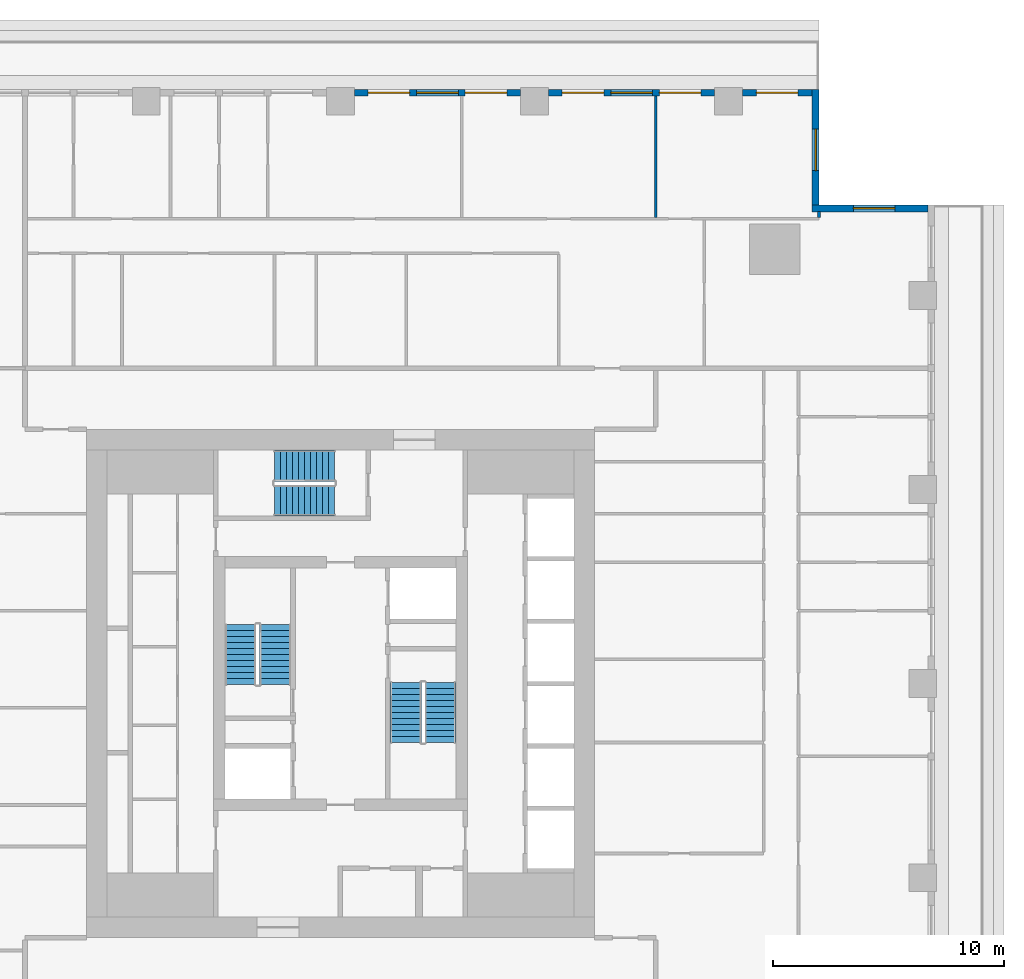
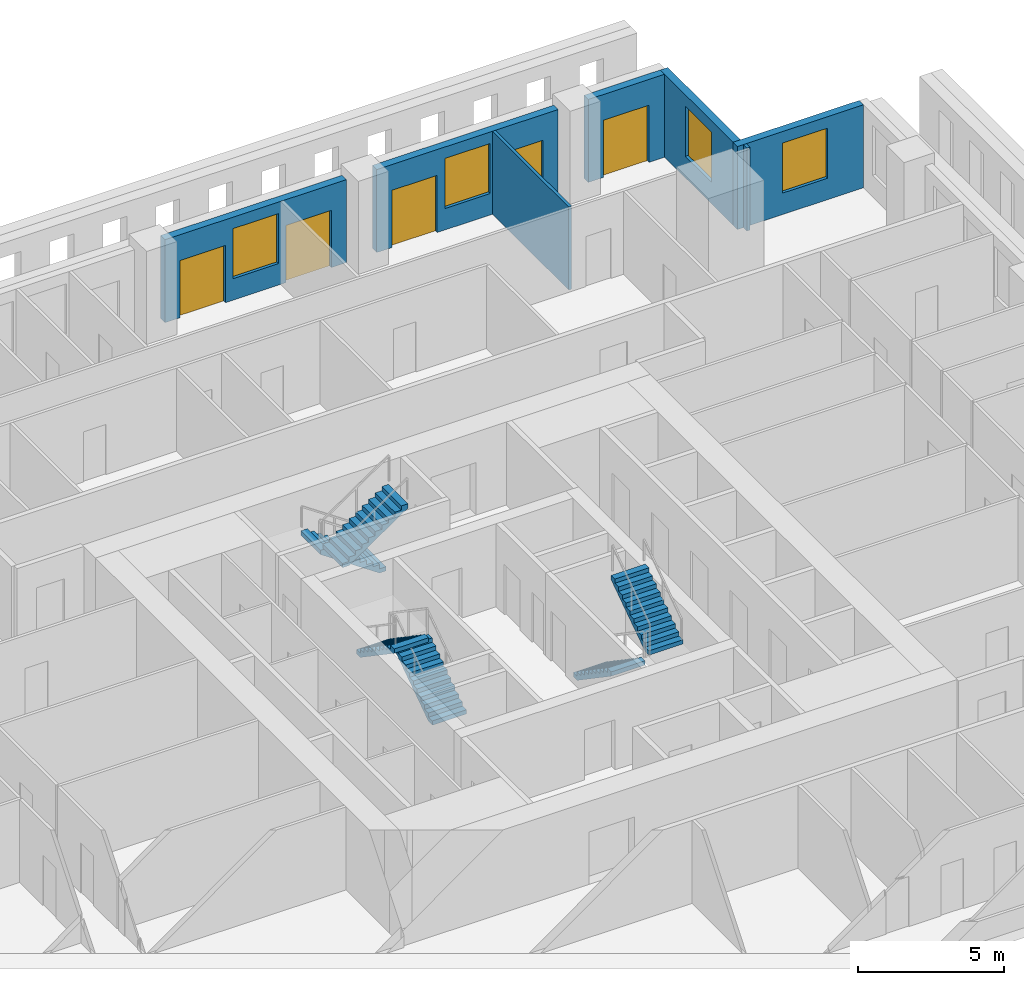
# One storey, part 9 of 14: 7 walls, 6 stair flights, 5 doors, 4 windows, 9 openings, 3 elements without a shape of their own.
"""IFC4 building model written with IfcOpenShell, lengths in metres."""

from ifc_helpers import new_model, si_unit, direction, frame, frame_2d, origin, place, context, subcontext, project, spatial, polyline, rectangle, outline, extrude, material, layer, layer_set, type_object, element, fill, aggregate, save


model = new_model("IFC4")

# Units and contexts
model_context = context("Model", 3, precision=1e-05, world=origin(), true_north=direction((0.0, 1.0)))
body_context = subcontext(model_context, "Body", "Model", "MODEL_VIEW")
ifc_project = project(units=[si_unit("LENGTHUNIT", "METRE"), si_unit("AREAUNIT", "SQUARE_METRE"), si_unit("VOLUMEUNIT", "CUBIC_METRE"), si_unit("PLANEANGLEUNIT", "RADIAN"), si_unit("MASSUNIT", "GRAM", prefix="KILO")], contexts=[model_context])

# Site, building, storey
site_placement = place(None, origin())
site = spatial("IfcSite", under=ifc_project, at=site_placement, CompositionType="ELEMENT")
building_placement = place(site_placement, origin())
building = spatial("IfcBuilding", under=site, at=building_placement, Name="Khepri Terraces", CompositionType="ELEMENT")
storey_placement = place(building_placement, frame((0.0, 0.0, 267.89990234375)))
storey = spatial("IfcBuildingStorey", under=building, at=storey_placement, Name="L64", CompositionType="ELEMENT", Elevation=267.89990234375)

# Wall, opening, window
ifc_material_1 = material(Name="Precast concrete C50/60 warm stone", Category="masonry")
ifc_layer_1 = layer(ifc_material_1, 0.300048828125, Name="Precast concrete C50/60 warm stone", Category="masonry")
ifc_layer_set_1 = layer_set([ifc_layer_1], Name="Precast concrete C50/60 warm stone")
wall_type_1 = type_object("IfcWallType", Name="WL-EXT-PRECAST-300", PredefinedType="STANDARD", material=ifc_layer_set_1)
wall_1_placement = place(storey_placement, frame((25.419921875, 20.570068359375, 0.0), z_axis=(0.0, 0.0, 1.0), x_axis=(-1.0, 0.0, 0.0)))
wall_1 = element("IfcWall", 1, at=wall_1_placement, inside=storey, type_object=wall_type_1, Name="External wall L64 N", PredefinedType="STANDARD", context=body_context, shape_type="SweptSolid", body=[
    extrude(rectangle(XDim=5.0, YDim=0.300048828125, at=frame_2d((2.5, 0.0))), origin(), (0.0, 0.0, 1.0), 3.47998046875),
])
opening_1_placement = place(wall_1_placement, frame((1.419921875, 0.0, 0.89990234375)))
opening_1 = element("IfcOpeningElement", 2, at=opening_1_placement, cuts=wall_1, Name="Opening W1", PredefinedType="OPENING", context=body_context, shape_type="SweptSolid", body=[
    extrude(rectangle(XDim=1.800048828125, YDim=2.10009765625, at=frame_2d((0.89990234375, 1.050048828125))), frame((0.0, 0.16015625, 0.0), z_axis=(0.0, -1.0, 0.0), x_axis=(1.0, 0.0, 0.0)), (0.0, 0.0, 1.0), 0.320068359375),
])
ifc_material_2 = material(Name="Clear glass", Category="glass")
window_type = type_object("IfcWindowType", Name="WIN-RES-1800x2100", PartitioningType="SINGLE_PANEL", PredefinedType="WINDOW", material=ifc_material_2)
window_1_placement = place(opening_1_placement, origin())
window_1 = element("IfcWindow", 3, at=window_1_placement, inside=storey, type_object=window_type, Name="Window L64 N", OverallHeight=2.10009765625, OverallWidth=1.800048828125, PartitioningType="SINGLE_PANEL", PredefinedType="WINDOW", context=body_context, shape_type="SweptSolid", body=[
    extrude(rectangle(XDim=1.800048828125, YDim=2.10009765625, at=frame_2d((0.89990234375, 1.050048828125))), frame((0.0, 0.030029296875, 0.0), z_axis=(0.0, -1.0, 0.0), x_axis=(1.0, 0.0, 0.0)), (0.0, 0.0, 1.0), 0.06005859375),
])
fill(opening_1, window_1)

wall_2_placement = place(storey_placement, frame((20.570068359375, 20.719970703125, 0.0), z_axis=(0.0, 0.0, 1.0), x_axis=(0.0, 1.0, 0.0)))
wall_2 = element("IfcWall", 4, at=wall_2_placement, inside=storey, type_object=wall_type_1, Name="External wall L64 E", PredefinedType="STANDARD", context=body_context, shape_type="SweptSolid", body=[
    extrude(rectangle(XDim=5.0, YDim=0.300048828125, at=frame_2d((2.5, 0.0))), origin(), (0.0, 0.0, 1.0), 3.47998046875),
])
opening_2_placement = place(wall_2_placement, frame((1.47998046875, 0.0, 0.89990234375)))
opening_2 = element("IfcOpeningElement", 5, at=opening_2_placement, cuts=wall_2, Name="Opening W1", PredefinedType="OPENING", context=body_context, shape_type="SweptSolid", body=[
    extrude(rectangle(XDim=1.800048828125, YDim=2.10009765625, at=frame_2d((0.89990234375, 1.050048828125))), frame((0.0, 0.16015625, 0.0), z_axis=(0.0, -1.0, 0.0), x_axis=(1.0, 0.0, 0.0)), (0.0, 0.0, 1.0), 0.320068359375),
])
window_2_placement = place(opening_2_placement, origin())
window_2 = element("IfcWindow", 6, at=window_2_placement, inside=storey, type_object=window_type, Name="Window L64 E", OverallHeight=2.10009765625, OverallWidth=1.800048828125, PartitioningType="SINGLE_PANEL", PredefinedType="WINDOW", context=body_context, shape_type="SweptSolid", body=[
    extrude(rectangle(XDim=1.800048828125, YDim=2.10009765625, at=frame_2d((0.89990234375, 1.050048828125))), frame((0.0, 0.030029296875, 0.0), z_axis=(0.0, -1.0, 0.0), x_axis=(1.0, 0.0, 0.0)), (0.0, 0.0, 1.0), 0.06005859375),
])
fill(opening_2, window_2)

# Wall, opening, door
wall_3_placement = place(storey_placement, frame((20.419921875, 25.570068359375, 0.0), z_axis=(0.0, 0.0, 1.0), x_axis=(-1.0, 0.0, 0.0)))
wall_3 = element("IfcWall", 7, at=wall_3_placement, inside=storey, type_object=wall_type_1, Name="External wall L64 N", PredefinedType="STANDARD", context=body_context, shape_type="SweptSolid", body=[
    extrude(rectangle(XDim=3.02001953125, YDim=0.300048828125, at=frame_2d((1.510009765625, 0.0))), origin(), (0.0, 0.0, 1.0), 3.47998046875),
])
opening_3_placement = place(wall_3_placement, frame((0.6201171875, 0.0, 0.0)))
opening_3 = element("IfcOpeningElement", 8, at=opening_3_placement, cuts=wall_3, Name="Opening ED-L64-05", PredefinedType="OPENING", context=body_context, shape_type="SweptSolid", body=[
    extrude(rectangle(XDim=1.800048828125, YDim=2.39990234375, at=frame_2d((0.89990234375, 1.199951171875))), frame((0.0, 0.16015625, 0.0), z_axis=(0.0, -1.0, 0.0), x_axis=(1.0, 0.0, 0.0)), (0.0, 0.0, 1.0), 0.320068359375),
])
ifc_material_3 = material(Name="Anodised aluminium bronze glazed door", Category="aluminium")
door_type = type_object("IfcDoorType", Name="DR-BAL-SLIDE-1800x2400", OperationType="NOTDEFINED", PredefinedType="DOOR", material=ifc_material_3)
door_1_placement = place(opening_3_placement, origin())
door_1 = element("IfcDoor", 9, at=door_1_placement, inside=storey, type_object=door_type, Name="Balcony door L64 N", OperationType="SLIDING_TO_RIGHT", OverallHeight=2.39990234375, OverallWidth=1.800048828125, PredefinedType="DOOR", context=body_context, shape_type="SweptSolid", body=[
    extrude(rectangle(XDim=1.800048828125, YDim=2.39990234375, at=frame_2d((0.89990234375, 1.199951171875))), frame((0.0, 0.02490234375, 0.0), z_axis=(0.0, -1.0, 0.0), x_axis=(1.0, 0.0, 0.0)), (0.0, 0.0, 1.0), 0.050048828125),
])
fill(opening_3, door_1)

# Wall, openings, doors, window
wall_4_placement = place(storey_placement, frame((16.199951171875, 25.570068359375, 0.0), z_axis=(0.0, 0.0, 1.0), x_axis=(-1.0, 0.0, 0.0)))
wall_4 = element("IfcWall", 10, at=wall_4_placement, inside=storey, type_object=wall_type_1, Name="External wall L64 N", PredefinedType="STANDARD", context=body_context, shape_type="SweptSolid", body=[
    extrude(rectangle(XDim=7.199951171875, YDim=0.300048828125, at=frame_2d((3.60009765625, 0.0))), origin(), (0.0, 0.0, 1.0), 3.47998046875),
])
opening_4_placement = place(wall_4_placement, frame((0.60009765625, 0.0, 0.0)))
opening_4 = element("IfcOpeningElement", 11, at=opening_4_placement, cuts=wall_4, Name="Opening ED-L64-06", PredefinedType="OPENING", context=body_context, shape_type="SweptSolid", body=[
    extrude(rectangle(XDim=1.800048828125, YDim=2.39990234375, at=frame_2d((0.89990234375, 1.199951171875))), frame((0.0, 0.16015625, 0.0), z_axis=(0.0, -1.0, 0.0), x_axis=(1.0, 0.0, 0.0)), (0.0, 0.0, 1.0), 0.320068359375),
])
opening_5_placement = place(wall_4_placement, frame((2.699951171875, 0.0, 0.89990234375)))
opening_5 = element("IfcOpeningElement", 12, at=opening_5_placement, cuts=wall_4, Name="Opening W1", PredefinedType="OPENING", context=body_context, shape_type="SweptSolid", body=[
    extrude(rectangle(XDim=1.800048828125, YDim=2.10009765625, at=frame_2d((0.89990234375, 1.050048828125))), frame((0.0, 0.16015625, 0.0), z_axis=(0.0, -1.0, 0.0), x_axis=(1.0, 0.0, 0.0)), (0.0, 0.0, 1.0), 0.320068359375),
])
opening_6_placement = place(wall_4_placement, frame((4.800048828125, 0.0, 0.0)))
opening_6 = element("IfcOpeningElement", 13, at=opening_6_placement, cuts=wall_4, Name="Opening ED-L64-07", PredefinedType="OPENING", context=body_context, shape_type="SweptSolid", body=[
    extrude(rectangle(XDim=1.800048828125, YDim=2.39990234375, at=frame_2d((0.89990234375, 1.199951171875))), frame((0.0, 0.16015625, 0.0), z_axis=(0.0, -1.0, 0.0), x_axis=(1.0, 0.0, 0.0)), (0.0, 0.0, 1.0), 0.320068359375),
])
door_2_placement = place(opening_4_placement, origin())
door_2 = element("IfcDoor", 14, at=door_2_placement, inside=storey, type_object=door_type, Name="Balcony door L64 N", OperationType="SLIDING_TO_LEFT", OverallHeight=2.39990234375, OverallWidth=1.800048828125, PredefinedType="DOOR", context=body_context, shape_type="SweptSolid", body=[
    extrude(rectangle(XDim=1.800048828125, YDim=2.39990234375, at=frame_2d((0.89990234375, 1.199951171875))), frame((0.0, 0.02490234375, 0.0), z_axis=(0.0, -1.0, 0.0), x_axis=(1.0, 0.0, 0.0)), (0.0, 0.0, 1.0), 0.050048828125),
])
fill(opening_4, door_2)
door_3_placement = place(opening_6_placement, origin())
door_3 = element("IfcDoor", 15, at=door_3_placement, inside=storey, type_object=door_type, Name="Balcony door L64 N", OperationType="SLIDING_TO_RIGHT", OverallHeight=2.39990234375, OverallWidth=1.800048828125, PredefinedType="DOOR", context=body_context, shape_type="SweptSolid", body=[
    extrude(rectangle(XDim=1.800048828125, YDim=2.39990234375, at=frame_2d((0.89990234375, 1.199951171875))), frame((0.0, 0.02490234375, 0.0), z_axis=(0.0, -1.0, 0.0), x_axis=(1.0, 0.0, 0.0)), (0.0, 0.0, 1.0), 0.050048828125),
])
fill(opening_6, door_3)
window_3_placement = place(opening_5_placement, origin())
window_3 = element("IfcWindow", 16, at=window_3_placement, inside=storey, type_object=window_type, Name="Window L64 N", OverallHeight=2.10009765625, OverallWidth=1.800048828125, PartitioningType="SINGLE_PANEL", PredefinedType="WINDOW", context=body_context, shape_type="SweptSolid", body=[
    extrude(rectangle(XDim=1.800048828125, YDim=2.10009765625, at=frame_2d((0.89990234375, 1.050048828125))), frame((0.0, 0.030029296875, 0.0), z_axis=(0.0, -1.0, 0.0), x_axis=(1.0, 0.0, 0.0)), (0.0, 0.0, 1.0), 0.06005859375),
])
fill(opening_5, window_3)

wall_5_placement = place(storey_placement, frame((7.800048828125, 25.570068359375, 0.0), z_axis=(0.0, 0.0, 1.0), x_axis=(-1.0, 0.0, 0.0)))
wall_5 = element("IfcWall", 17, at=wall_5_placement, inside=storey, type_object=wall_type_1, Name="External wall L64 N", PredefinedType="STANDARD", context=body_context, shape_type="SweptSolid", body=[
    extrude(rectangle(XDim=7.199951171875, YDim=0.300048828125, at=frame_2d((3.60009765625, 0.0))), origin(), (0.0, 0.0, 1.0), 3.47998046875),
])
opening_7_placement = place(wall_5_placement, frame((0.60009765625, 0.0, 0.0)))
opening_7 = element("IfcOpeningElement", 18, at=opening_7_placement, cuts=wall_5, Name="Opening ED-L64-08", PredefinedType="OPENING", context=body_context, shape_type="SweptSolid", body=[
    extrude(rectangle(XDim=1.800048828125, YDim=2.39990234375, at=frame_2d((0.89990234375, 1.199951171875))), frame((0.0, 0.16015625, 0.0), z_axis=(0.0, -1.0, 0.0), x_axis=(1.0, 0.0, 0.0)), (0.0, 0.0, 1.0), 0.320068359375),
])
opening_8_placement = place(wall_5_placement, frame((2.699951171875, 0.0, 0.89990234375)))
opening_8 = element("IfcOpeningElement", 19, at=opening_8_placement, cuts=wall_5, Name="Opening W1", PredefinedType="OPENING", context=body_context, shape_type="SweptSolid", body=[
    extrude(rectangle(XDim=1.800048828125, YDim=2.10009765625, at=frame_2d((0.89990234375, 1.050048828125))), frame((0.0, 0.16015625, 0.0), z_axis=(0.0, -1.0, 0.0), x_axis=(1.0, 0.0, 0.0)), (0.0, 0.0, 1.0), 0.320068359375),
])
opening_9_placement = place(wall_5_placement, frame((4.800048828125, 0.0, 0.0)))
opening_9 = element("IfcOpeningElement", 20, at=opening_9_placement, cuts=wall_5, Name="Opening ED-L64-09", PredefinedType="OPENING", context=body_context, shape_type="SweptSolid", body=[
    extrude(rectangle(XDim=1.800048828125, YDim=2.39990234375, at=frame_2d((0.89990234375, 1.199951171875))), frame((0.0, 0.16015625, 0.0), z_axis=(0.0, -1.0, 0.0), x_axis=(1.0, 0.0, 0.0)), (0.0, 0.0, 1.0), 0.320068359375),
])
door_4_placement = place(opening_7_placement, origin())
door_4 = element("IfcDoor", 21, at=door_4_placement, inside=storey, type_object=door_type, Name="Balcony door L64 N", OperationType="SLIDING_TO_LEFT", OverallHeight=2.39990234375, OverallWidth=1.800048828125, PredefinedType="DOOR", context=body_context, shape_type="SweptSolid", body=[
    extrude(rectangle(XDim=1.800048828125, YDim=2.39990234375, at=frame_2d((0.89990234375, 1.199951171875))), frame((0.0, 0.02490234375, 0.0), z_axis=(0.0, -1.0, 0.0), x_axis=(1.0, 0.0, 0.0)), (0.0, 0.0, 1.0), 0.050048828125),
])
fill(opening_7, door_4)
door_5_placement = place(opening_9_placement, origin())
door_5 = element("IfcDoor", 22, at=door_5_placement, inside=storey, type_object=door_type, Name="Balcony door L64 N", OperationType="SLIDING_TO_RIGHT", OverallHeight=2.39990234375, OverallWidth=1.800048828125, PredefinedType="DOOR", context=body_context, shape_type="SweptSolid", body=[
    extrude(rectangle(XDim=1.800048828125, YDim=2.39990234375, at=frame_2d((0.89990234375, 1.199951171875))), frame((0.0, 0.02490234375, 0.0), z_axis=(0.0, -1.0, 0.0), x_axis=(1.0, 0.0, 0.0)), (0.0, 0.0, 1.0), 0.050048828125),
])
fill(opening_9, door_5)
window_4_placement = place(opening_8_placement, origin())
window_4 = element("IfcWindow", 23, at=window_4_placement, inside=storey, type_object=window_type, Name="Window L64 N", OverallHeight=2.10009765625, OverallWidth=1.800048828125, PartitioningType="SINGLE_PANEL", PredefinedType="WINDOW", context=body_context, shape_type="SweptSolid", body=[
    extrude(rectangle(XDim=1.800048828125, YDim=2.10009765625, at=frame_2d((0.89990234375, 1.050048828125))), frame((0.0, 0.030029296875, 0.0), z_axis=(0.0, -1.0, 0.0), x_axis=(1.0, 0.0, 0.0)), (0.0, 0.0, 1.0), 0.06005859375),
])
fill(opening_8, window_4)

# Walls
ifc_material_4 = material(Name="Gypsum plasterboard partition")
ifc_layer_2 = layer(ifc_material_4, 0.1201171875, Name="Gypsum plasterboard partition")
ifc_layer_set_2 = layer_set([ifc_layer_2], Name="Gypsum plasterboard partition")
wall_type_2 = type_object("IfcWallType", Name="WL-PART-120", PredefinedType="PARTITIONING", material=ifc_layer_set_2)
wall_6_placement = place(storey_placement, frame((13.64990234375, 20.179931640625, 0.0), z_axis=(0.0, 0.0, 1.0), x_axis=(0.0, 1.0, 0.0)))
element("IfcWall", 24, at=wall_6_placement, inside=storey, type_object=wall_type_2, Name="Partition P-098 L64", PredefinedType="PARTITIONING", context=body_context, shape_type="SweptSolid", body=[
    extrude(rectangle(XDim=5.239990234375, YDim=0.1201171875, at=frame_2d((2.6201171875, 0.0))), origin(), (0.0, 0.0, 1.0), 3.47998046875),
])
wall_7_placement = place(storey_placement, frame((20.718994140625, 20.179931640625, 0.0), z_axis=(0.0, 0.0, 1.0), x_axis=(0.0, 1.0, 0.0)))
element("IfcWall", 25, at=wall_7_placement, inside=storey, type_object=wall_type_2, Name="Partition P-099 L64", PredefinedType="PARTITIONING", context=body_context, shape_type="SweptSolid", body=[
    extrude(rectangle(XDim=0.240966796875, YDim=0.1201171875, at=frame_2d((0.12060546875, 0.0))), origin(), (0.0, 0.0, 1.0), 3.47998046875),
])

# Stair, stair flights
ifc_material_5 = material(Name="Concrete C40/50", Category="concrete")
stair_type = type_object("IfcStairType", Name="STAIR-RC-22R", PredefinedType="HALF_TURN_STAIR", material=ifc_material_5)
stair_1_placement = place(storey_placement, origin())
stair_1 = element("IfcStair", 26, at=stair_1_placement, inside=storey, type_object=stair_type, Name="L64 Exit Stair ST-1", PredefinedType="HALF_TURN_STAIR")
stair_flight_type = type_object("IfcStairFlightType", Name="SFL-RC-177.3", PredefinedType="STRAIGHT", material=ifc_material_5)
stair_flight_1_placement = place(storey_placement, frame((-2.824951171875, -0.050048828125, 0.0), z_axis=(0.0, 0.0, 1.0), x_axis=(0.0, 1.0, 0.0)))
stair_flight_1 = element("IfcStairFlight", 27, at=stair_flight_1_placement, type_object=stair_flight_type, Name="ST-1 flight 1", NumberOfRisers=11, NumberOfTreads=10, PredefinedType="STRAIGHT", RiserHeight=0.177272727, TreadLength=0.26, context=body_context, shape_type="SweptSolid", body=[
    extrude(outline(polyline([(0.0, 0.0), (0.0, 0.17724609375), (0.260009765625, 0.17724609375), (0.260009765625, 0.3544921875), (0.52001953125, 0.3544921875), (0.52001953125, 0.53173828125), (0.780029296875, 0.53173828125), (0.780029296875, 0.708984375), (1.0400390625, 0.708984375), (1.0400390625, 0.886474609375), (1.300048828125, 0.886474609375), (1.300048828125, 1.063720703125), (1.56005859375, 1.063720703125), (1.56005859375, 1.240966796875), (1.820068359375, 1.240966796875), (1.820068359375, 1.418212890625), (2.080078125, 1.418212890625), (2.080078125, 1.595458984375), (2.340087890625, 1.595458984375), (2.340087890625, 1.772705078125), (2.60009765625, 1.772705078125), (2.60009765625, 1.949951171875), (2.60009765625, 1.59130859375), (0.26611328125, 0.0), (0.0, 0.0)])), frame((0.0, 0.675048828125, 0.0), z_axis=(0.0, -1.0, 0.0), x_axis=(1.0, 0.0, 0.0)), (0.0, 0.0, 1.0), 1.35009765625),
])
stair_flight_2_placement = place(storey_placement, frame((-4.324951171875, 2.550048828125, 1.9501953125), z_axis=(0.0, 0.0, 1.0), x_axis=(0.0, -1.0, 0.0)))
stair_flight_2 = element("IfcStairFlight", 28, at=stair_flight_2_placement, type_object=stair_flight_type, Name="ST-1 flight 2", NumberOfRisers=11, NumberOfTreads=10, PredefinedType="STRAIGHT", RiserHeight=0.177272727, TreadLength=0.26, context=body_context, shape_type="SweptSolid", body=[
    extrude(outline(polyline([(0.0, 0.0), (0.0, 0.17724609375), (0.260009765625, 0.17724609375), (0.260009765625, 0.3544921875), (0.52001953125, 0.3544921875), (0.52001953125, 0.53173828125), (0.780029296875, 0.53173828125), (0.780029296875, 0.708984375), (1.0400390625, 0.708984375), (1.0400390625, 0.886474609375), (1.300048828125, 0.886474609375), (1.300048828125, 1.063720703125), (1.56005859375, 1.063720703125), (1.56005859375, 1.240966796875), (1.820068359375, 1.240966796875), (1.820068359375, 1.418212890625), (2.080078125, 1.418212890625), (2.080078125, 1.595458984375), (2.340087890625, 1.595458984375), (2.340087890625, 1.772705078125), (2.60009765625, 1.772705078125), (2.60009765625, 1.949951171875), (2.60009765625, 1.59130859375), (0.26611328125, 0.0), (0.0, 0.0)])), frame((0.0, 0.675048828125, 0.0), z_axis=(0.0, -1.0, 0.0), x_axis=(1.0, 0.0, 0.0)), (0.0, 0.0, 1.0), 1.35009765625),
])
aggregate(stair_1, [stair_flight_1, stair_flight_2])

stair_2_placement = place(storey_placement, origin())
stair_2 = element("IfcStair", 29, at=stair_2_placement, inside=storey, type_object=stair_type, Name="L64 Exit Stair ST-2", PredefinedType="HALF_TURN_STAIR")
stair_flight_3_placement = place(storey_placement, frame((2.824951171875, 0.050048828125, 0.0), z_axis=(0.0, 0.0, 1.0), x_axis=(0.0, -1.0, 0.0)))
stair_flight_3 = element("IfcStairFlight", 30, at=stair_flight_3_placement, type_object=stair_flight_type, Name="ST-2 flight 1", NumberOfRisers=11, NumberOfTreads=10, PredefinedType="STRAIGHT", RiserHeight=0.177272727, TreadLength=0.26, context=body_context, shape_type="SweptSolid", body=[
    extrude(outline(polyline([(0.0, 0.0), (0.0, 0.17724609375), (0.260009765625, 0.17724609375), (0.260009765625, 0.3544921875), (0.52001953125, 0.3544921875), (0.52001953125, 0.53173828125), (0.780029296875, 0.53173828125), (0.780029296875, 0.708984375), (1.0400390625, 0.708984375), (1.0400390625, 0.886474609375), (1.300048828125, 0.886474609375), (1.300048828125, 1.063720703125), (1.56005859375, 1.063720703125), (1.56005859375, 1.240966796875), (1.820068359375, 1.240966796875), (1.820068359375, 1.418212890625), (2.080078125, 1.418212890625), (2.080078125, 1.595458984375), (2.340087890625, 1.595458984375), (2.340087890625, 1.772705078125), (2.60009765625, 1.772705078125), (2.60009765625, 1.949951171875), (2.60009765625, 1.59130859375), (0.26611328125, 0.0), (0.0, 0.0)])), frame((0.0, 0.675048828125, 0.0), z_axis=(0.0, -1.0, 0.0), x_axis=(1.0, 0.0, 0.0)), (0.0, 0.0, 1.0), 1.35009765625),
])
stair_flight_4_placement = place(storey_placement, frame((4.324951171875, -2.550048828125, 1.9501953125), z_axis=(0.0, 0.0, 1.0), x_axis=(0.0, 1.0, 0.0)))
stair_flight_4 = element("IfcStairFlight", 31, at=stair_flight_4_placement, type_object=stair_flight_type, Name="ST-2 flight 2", NumberOfRisers=11, NumberOfTreads=10, PredefinedType="STRAIGHT", RiserHeight=0.177272727, TreadLength=0.26, context=body_context, shape_type="SweptSolid", body=[
    extrude(outline(polyline([(0.0, 0.0), (0.0, 0.17724609375), (0.260009765625, 0.17724609375), (0.260009765625, 0.3544921875), (0.52001953125, 0.3544921875), (0.52001953125, 0.53173828125), (0.780029296875, 0.53173828125), (0.780029296875, 0.708984375), (1.0400390625, 0.708984375), (1.0400390625, 0.886474609375), (1.300048828125, 0.886474609375), (1.300048828125, 1.063720703125), (1.56005859375, 1.063720703125), (1.56005859375, 1.240966796875), (1.820068359375, 1.240966796875), (1.820068359375, 1.418212890625), (2.080078125, 1.418212890625), (2.080078125, 1.595458984375), (2.340087890625, 1.595458984375), (2.340087890625, 1.772705078125), (2.60009765625, 1.772705078125), (2.60009765625, 1.949951171875), (2.60009765625, 1.59130859375), (0.26611328125, 0.0), (0.0, 0.0)])), frame((0.0, 0.675048828125, 0.0), z_axis=(0.0, -1.0, 0.0), x_axis=(1.0, 0.0, 0.0)), (0.0, 0.0, 1.0), 1.35009765625),
])
aggregate(stair_2, [stair_flight_3, stair_flight_4])

stair_3_placement = place(storey_placement, origin())
stair_3 = element("IfcStair", 32, at=stair_3_placement, inside=storey, type_object=stair_type, Name="L64 Exit Stair ST-3", PredefinedType="HALF_TURN_STAIR")
stair_flight_5_placement = place(storey_placement, frame((-0.25, 9.425048828125, 0.0), z_axis=(0.0, 0.0, 1.0), x_axis=(-1.0, 0.0, 0.0)))
stair_flight_5 = element("IfcStairFlight", 33, at=stair_flight_5_placement, type_object=stair_flight_type, Name="ST-3 flight 1", NumberOfRisers=11, NumberOfTreads=10, PredefinedType="STRAIGHT", RiserHeight=0.177272727, TreadLength=0.26, context=body_context, shape_type="SweptSolid", body=[
    extrude(outline(polyline([(0.0, 0.0), (0.0, 0.17724609375), (0.260009765625, 0.17724609375), (0.260009765625, 0.3544921875), (0.52001953125, 0.3544921875), (0.52001953125, 0.53173828125), (0.780029296875, 0.53173828125), (0.780029296875, 0.708984375), (1.0400390625, 0.708984375), (1.0400390625, 0.886474609375), (1.300048828125, 0.886474609375), (1.300048828125, 1.063720703125), (1.56005859375, 1.063720703125), (1.56005859375, 1.240966796875), (1.820068359375, 1.240966796875), (1.820068359375, 1.418212890625), (2.080078125, 1.418212890625), (2.080078125, 1.595458984375), (2.340087890625, 1.595458984375), (2.340087890625, 1.772705078125), (2.60009765625, 1.772705078125), (2.60009765625, 1.949951171875), (2.60009765625, 1.59130859375), (0.26611328125, 0.0), (0.0, 0.0)])), frame((0.0, 0.675048828125, 0.0), z_axis=(0.0, -1.0, 0.0), x_axis=(1.0, 0.0, 0.0)), (0.0, 0.0, 1.0), 1.35009765625),
])
stair_flight_6_placement = place(storey_placement, frame((-2.85009765625, 7.925048828125, 1.9501953125), z_axis=(0.0, 0.0, 1.0), x_axis=(1.0, 0.0, 0.0)))
stair_flight_6 = element("IfcStairFlight", 34, at=stair_flight_6_placement, type_object=stair_flight_type, Name="ST-3 flight 2", NumberOfRisers=11, NumberOfTreads=10, PredefinedType="STRAIGHT", RiserHeight=0.177272727, TreadLength=0.26, context=body_context, shape_type="SweptSolid", body=[
    extrude(outline(polyline([(0.0, 0.0), (0.0, 0.17724609375), (0.260009765625, 0.17724609375), (0.260009765625, 0.3544921875), (0.52001953125, 0.3544921875), (0.52001953125, 0.53173828125), (0.780029296875, 0.53173828125), (0.780029296875, 0.708984375), (1.0400390625, 0.708984375), (1.0400390625, 0.886474609375), (1.300048828125, 0.886474609375), (1.300048828125, 1.063720703125), (1.56005859375, 1.063720703125), (1.56005859375, 1.240966796875), (1.820068359375, 1.240966796875), (1.820068359375, 1.418212890625), (2.080078125, 1.418212890625), (2.080078125, 1.595458984375), (2.340087890625, 1.595458984375), (2.340087890625, 1.772705078125), (2.60009765625, 1.772705078125), (2.60009765625, 1.949951171875), (2.60009765625, 1.59130859375), (0.26611328125, 0.0), (0.0, 0.0)])), frame((0.0, 0.675048828125, 0.0), z_axis=(0.0, -1.0, 0.0), x_axis=(1.0, 0.0, 0.0)), (0.0, 0.0, 1.0), 1.35009765625),
])
aggregate(stair_3, [stair_flight_5, stair_flight_6])

save(model, "model.ifc")
